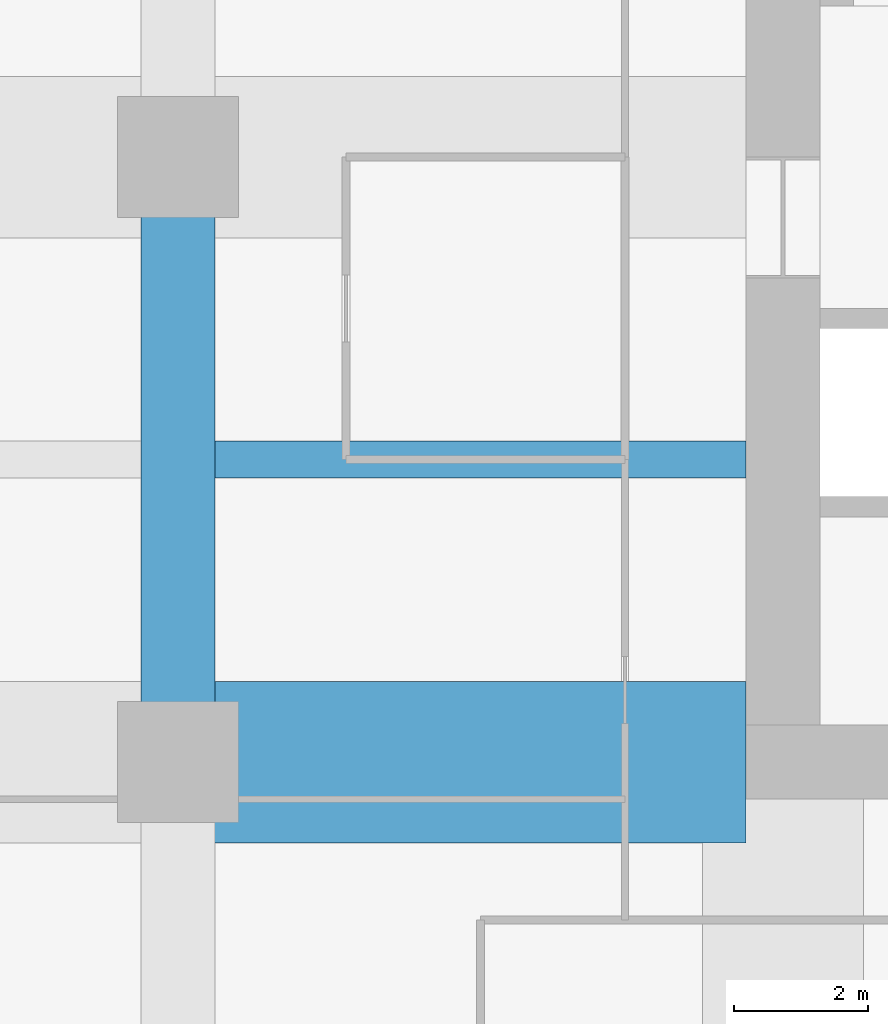
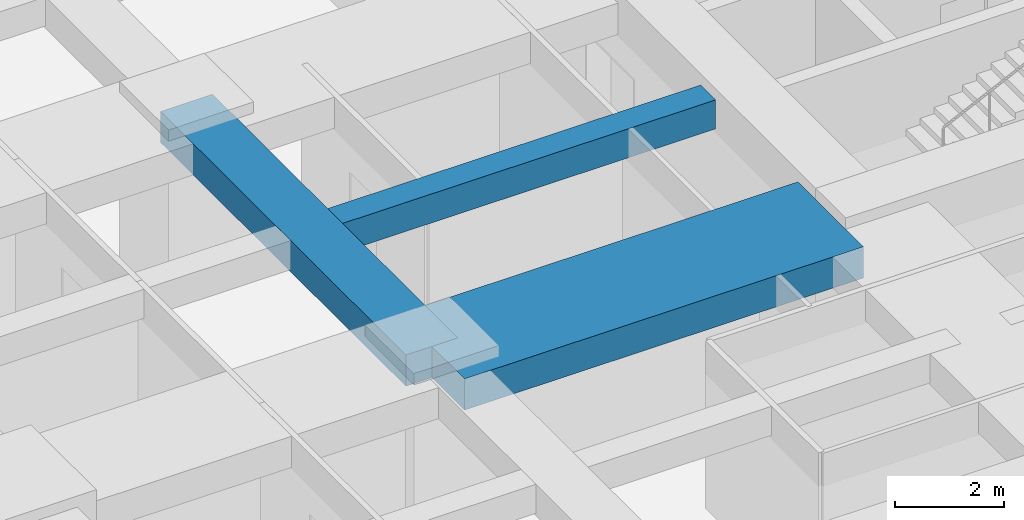
# One storey, part 10 of 43: 3 beams.
"""IFC4 building model written with IfcOpenShell, lengths in metres."""

from ifc_helpers import new_model, si_unit, direction, frame, origin, origin_2d, place, context, subcontext, project, spatial, rectangle, extrude, material, material_profile, profile_set, type_object, element, save


model = new_model("IFC4")

# Units and contexts
model_context = context("Model", 3, precision=1e-05, world=origin(), true_north=direction((0.0, 1.0)))
body_context = subcontext(model_context, "Body", "Model", "MODEL_VIEW")
ifc_project = project(units=[si_unit("LENGTHUNIT", "METRE"), si_unit("AREAUNIT", "SQUARE_METRE"), si_unit("VOLUMEUNIT", "CUBIC_METRE"), si_unit("PLANEANGLEUNIT", "RADIAN"), si_unit("MASSUNIT", "GRAM", prefix="KILO")], contexts=[model_context])

# Site, building, storey
site_placement = place(None, origin())
site = spatial("IfcSite", under=ifc_project, at=site_placement, CompositionType="ELEMENT")
building_placement = place(site_placement, origin())
building = spatial("IfcBuilding", under=site, at=building_placement, Name="Zorevar Civic Tower", CompositionType="ELEMENT")
storey_placement = place(building_placement, frame((0.0, 0.0, 141.0)))
storey = spatial("IfcBuildingStorey", under=building, at=storey_placement, Name="L34", CompositionType="ELEMENT", Elevation=141.0)

# Beams
ifc_material_1 = material(Name="Concrete C50/60", Category="concrete")
ifc_material_profile_1 = material_profile(ifc_material_1, rectangle(XDim=1.10009765625, YDim=0.699951171875, at=origin_2d()), Name="RC 1100x700")
ifc_profile_set_1 = profile_set([ifc_material_profile_1], Name="Concrete C50/60")
beam_type_1 = type_object("IfcBeamType", Name="Beam RC 1100x700", PredefinedType="BEAM", material=ifc_profile_set_1)
beam_1_placement = place(storey_placement, frame((9.0, 18.0, 3.39990234375), z_axis=(0.0, 1.0, 0.0), x_axis=(-1.0, 0.0, 0.0)))
element("IfcBeam", 1, at=beam_1_placement, inside=storey, type_object=beam_type_1, Name="Girder L35", PredefinedType="BEAM", context=body_context, shape_type="SweptSolid", body=[
    extrude(rectangle(XDim=1.10009765625, YDim=0.699951171875, at=origin_2d()), origin(), (0.0, 0.0, 1.0), 9.0),
])
ifc_material_2 = material(Name="Concrete C50/60", Category="concrete")
ifc_material_profile_2 = material_profile(ifc_material_2, rectangle(XDim=2.39990234375, YDim=0.699951171875, at=origin_2d()), Name="RC 2400x700")
ifc_profile_set_2 = profile_set([ifc_material_profile_2], Name="Concrete C50/60")
beam_type_2 = type_object("IfcBeamType", Name="Beam RC 2400x700", PredefinedType="BEAM", material=ifc_profile_set_2)
beam_2_placement = place(storey_placement, frame((9.0, 18.0, 3.39990234375), z_axis=(1.0, 0.0, 0.0), x_axis=(0.0, 1.0, 0.0)))
element("IfcBeam", 2, at=beam_2_placement, inside=storey, type_object=beam_type_2, Name="Girder L35", PredefinedType="BEAM", context=body_context, shape_type="SweptSolid", body=[
    extrude(rectangle(XDim=2.39990234375, YDim=0.699951171875, at=origin_2d()), origin(), (0.0, 0.0, 1.0), 8.449951171875),
])
ifc_material_3 = material(Name="Concrete C50/60", Category="concrete")
ifc_material_profile_3 = material_profile(ifc_material_3, rectangle(XDim=0.550048828125, YDim=0.64990234375, at=origin_2d()), Name="RC 550x650")
ifc_profile_set_3 = profile_set([ifc_material_profile_3], Name="Concrete C50/60")
beam_type_3 = type_object("IfcBeamType", Name="Beam RC 550x650", PredefinedType="BEAM", material=ifc_profile_set_3)
beam_3_placement = place(storey_placement, frame((9.550048828125, 22.5, 3.425048828125), z_axis=(1.0, 0.0, 0.0), x_axis=(0.0, 1.0, 0.0)))
element("IfcBeam", 3, at=beam_3_placement, inside=storey, type_object=beam_type_3, Name="Secondary beam L35", PredefinedType="BEAM", context=body_context, shape_type="SweptSolid", body=[
    extrude(rectangle(XDim=0.550048828125, YDim=0.64990234375, at=origin_2d()), origin(), (0.0, 0.0, 1.0), 7.89990234375),
])

save(model, "model.ifc")
